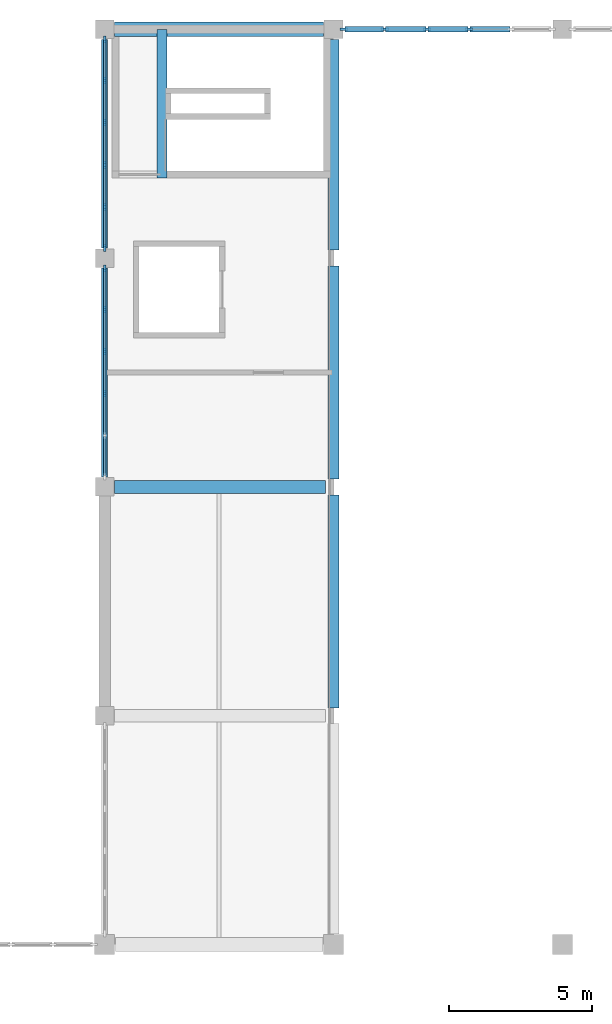
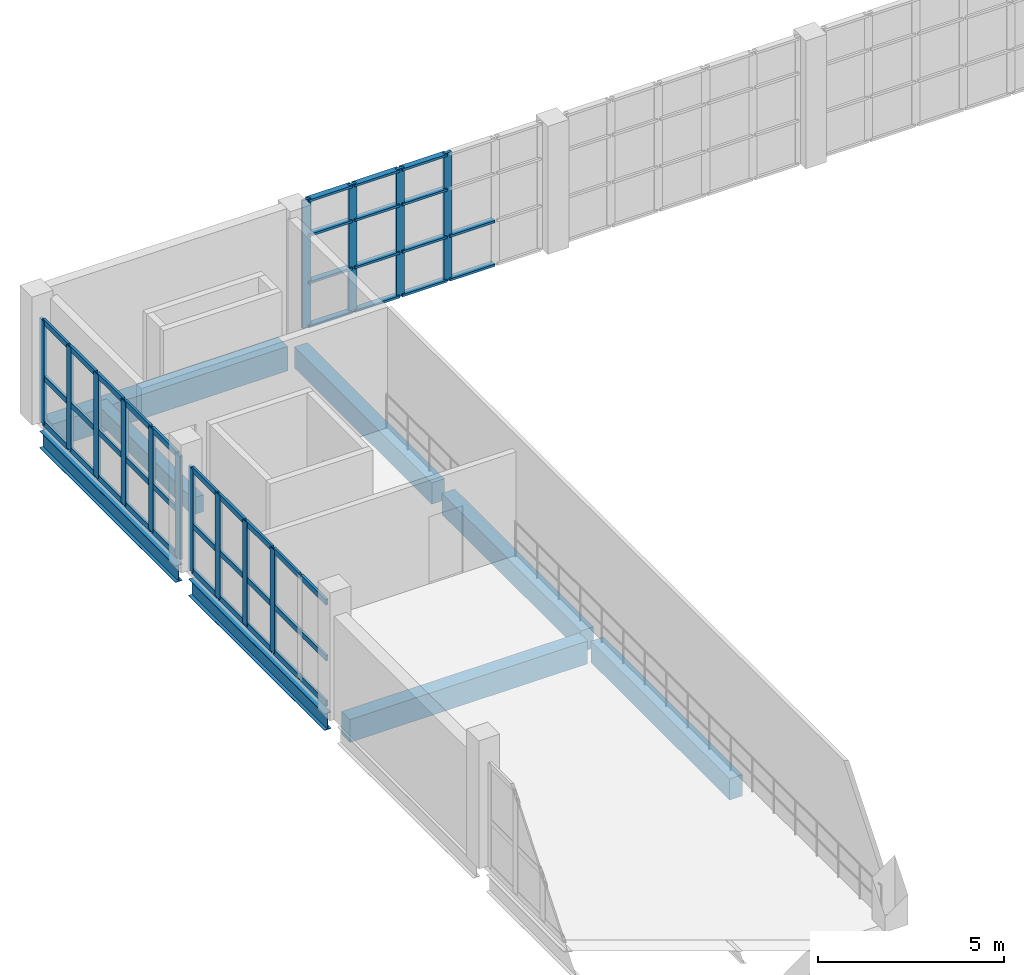
# One storey, part 17 of 66: 58 members, 8 beams, 3 elements without a shape of their own.
"""IFC4 building model written with IfcOpenShell, lengths in metres."""

from ifc_helpers import new_model, si_unit, direction, frame, origin, origin_2d, place, context, subcontext, project, spatial, rectangle, i_section, extrude, material, layer, layer_set, material_profile, profile_set, type_object, element, aggregate, save


model = new_model("IFC4")

# Units and contexts
model_context = context("Model", 3, precision=1e-05, world=origin(), true_north=direction((0.0, 1.0)))
body_context = subcontext(model_context, "Body", "Model", "MODEL_VIEW")
ifc_project = project(units=[si_unit("LENGTHUNIT", "METRE"), si_unit("AREAUNIT", "SQUARE_METRE"), si_unit("VOLUMEUNIT", "CUBIC_METRE"), si_unit("PLANEANGLEUNIT", "RADIAN"), si_unit("MASSUNIT", "GRAM", prefix="KILO")], contexts=[model_context])

# Site, building, storey
site_placement = place(None, origin())
site = spatial("IfcSite", under=ifc_project, at=site_placement, CompositionType="ELEMENT")
building_placement = place(site_placement, origin())
building = spatial("IfcBuilding", under=site, at=building_placement, Name="Drelvana Railside Aquatics Centre", CompositionType="ELEMENT")
storey_placement = place(building_placement, frame((0.0, 0.0, 10.199951171875)))
storey = spatial("IfcBuildingStorey", under=building, at=storey_placement, Name="L02", CompositionType="ELEMENT", Elevation=10.199951171875)

# Curtain wall, members
ifc_material_1 = material(Name="Bronze-anodised aluminium curtain wall", Category="aluminium")
ifc_layer = layer(ifc_material_1, 0.219970703125, Name="Bronze-anodised aluminium curtain wall")
ifc_layer_set = layer_set([ifc_layer], Name="Bronze-anodised aluminium curtain wall")
curtain_wall_type = type_object("IfcCurtainWallType", Name="CW-Z3-HIGH", PredefinedType="NOTDEFINED", material=ifc_layer_set)
curtain_wall_1_placement = place(storey_placement, origin())
curtain_wall_1 = element("IfcCurtainWall", 1, at=curtain_wall_1_placement, inside=storey, type_object=curtain_wall_type, Name="Curtain wall CW-03-030", PredefinedType="NOTDEFINED")
ifc_material_2 = material(Name="Bronze-anodised aluminium 6063-T6", Category="aluminium")
ifc_material_profile_1 = material_profile(ifc_material_2, rectangle(XDim=0.080078125, YDim=0.25, at=origin_2d()), Name="ALU-M 80x250")
ifc_profile_set_1 = profile_set([ifc_material_profile_1], Name="Bronze-anodised aluminium 6063-T6")
member_type_1 = type_object("IfcMemberType", Name="CW-Z3-HIGH-MUL", PredefinedType="MULLION", material=ifc_profile_set_1)
member_1_placement = place(storey_placement, frame((32.35888671875, 116.0, -0.005859375), z_axis=(0.0, 0.0, 1.0), x_axis=(0.0, 1.0, 0.0)))
member_1 = element("IfcMember", 2, at=member_1_placement, type_object=member_type_1, Name="CW-03 mullion 1", PredefinedType="MULLION", context=body_context, shape_type="SweptSolid", body=[
    extrude(rectangle(XDim=0.080078125, YDim=0.25, at=origin_2d()), origin(), (0.0, 0.0, 1.0), 4.19580078125),
])
member_2_placement = place(storey_placement, frame((33.79150390625, 116.0, -0.005859375), z_axis=(0.0, 0.0, 1.0), x_axis=(0.0, 1.0, 0.0)))
member_2 = element("IfcMember", 3, at=member_2_placement, type_object=member_type_1, Name="CW-03 mullion 2", PredefinedType="MULLION", context=body_context, shape_type="SweptSolid", body=[
    extrude(rectangle(XDim=0.080078125, YDim=0.25, at=origin_2d()), origin(), (0.0, 0.0, 1.0), 4.19580078125),
])
member_3_placement = place(storey_placement, frame((35.263916015625, 116.0, -0.005859375), z_axis=(0.0, 0.0, 1.0), x_axis=(0.0, 1.0, 0.0)))
member_3 = element("IfcMember", 4, at=member_3_placement, type_object=member_type_1, Name="CW-03 mullion 3", PredefinedType="MULLION", context=body_context, shape_type="SweptSolid", body=[
    extrude(rectangle(XDim=0.080078125, YDim=0.25, at=origin_2d()), origin(), (0.0, 0.0, 1.0), 4.19580078125),
])
member_4_placement = place(storey_placement, frame((36.736083984375, 116.0, -0.005859375), z_axis=(0.0, 0.0, 1.0), x_axis=(0.0, 1.0, 0.0)))
member_4 = element("IfcMember", 5, at=member_4_placement, type_object=member_type_1, Name="CW-03 mullion 4", PredefinedType="MULLION", context=body_context, shape_type="SweptSolid", body=[
    extrude(rectangle(XDim=0.080078125, YDim=0.25, at=origin_2d()), origin(), (0.0, 0.0, 1.0), 4.19580078125),
])

curtain_wall_2_placement = place(storey_placement, origin())
curtain_wall_2 = element("IfcCurtainWall", 6, at=curtain_wall_2_placement, inside=storey, type_object=curtain_wall_type, Name="Curtain wall CW-03-086", PredefinedType="NOTDEFINED")
member_5_placement = place(storey_placement, frame((24.0, 103.263916015625, -0.005859375), z_axis=(0.0, 0.0, 1.0), x_axis=(-1.0, 0.0, 0.0)))
member_5 = element("IfcMember", 7, at=member_5_placement, type_object=member_type_1, Name="CW-03 mullion 3", PredefinedType="MULLION", context=body_context, shape_type="SweptSolid", body=[
    extrude(rectangle(XDim=0.080078125, YDim=0.25, at=origin_2d()), origin(), (0.0, 0.0, 1.0), 3.39599609375),
])
member_6_placement = place(storey_placement, frame((24.0, 104.736083984375, -0.005859375), z_axis=(0.0, 0.0, 1.0), x_axis=(-1.0, 0.0, 0.0)))
member_6 = element("IfcMember", 8, at=member_6_placement, type_object=member_type_1, Name="CW-03 mullion 4", PredefinedType="MULLION", context=body_context, shape_type="SweptSolid", body=[
    extrude(rectangle(XDim=0.080078125, YDim=0.25, at=origin_2d()), origin(), (0.0, 0.0, 1.0), 3.39599609375),
])
member_7_placement = place(storey_placement, frame((24.0, 106.20849609375, -0.005859375), z_axis=(0.0, 0.0, 1.0), x_axis=(-1.0, 0.0, 0.0)))
member_7 = element("IfcMember", 9, at=member_7_placement, type_object=member_type_1, Name="CW-03 mullion 5", PredefinedType="MULLION", context=body_context, shape_type="SweptSolid", body=[
    extrude(rectangle(XDim=0.080078125, YDim=0.25, at=origin_2d()), origin(), (0.0, 0.0, 1.0), 3.39599609375),
])
member_8_placement = place(storey_placement, frame((24.0, 107.64111328125, -0.005859375), z_axis=(0.0, 0.0, 1.0), x_axis=(-1.0, 0.0, 0.0)))
member_8 = element("IfcMember", 10, at=member_8_placement, type_object=member_type_1, Name="CW-03 mullion 6", PredefinedType="MULLION", context=body_context, shape_type="SweptSolid", body=[
    extrude(rectangle(XDim=0.080078125, YDim=0.25, at=origin_2d()), origin(), (0.0, 0.0, 1.0), 3.39599609375),
])

curtain_wall_3_placement = place(storey_placement, origin())
curtain_wall_3 = element("IfcCurtainWall", 11, at=curtain_wall_3_placement, inside=storey, type_object=curtain_wall_type, Name="Curtain wall CW-03-089", PredefinedType="NOTDEFINED")
member_9_placement = place(storey_placement, frame((24.0, 108.35888671875, -0.005859375), z_axis=(0.0, 0.0, 1.0), x_axis=(-1.0, 0.0, 0.0)))
member_9 = element("IfcMember", 12, at=member_9_placement, type_object=member_type_1, Name="CW-03 mullion 1", PredefinedType="MULLION", context=body_context, shape_type="SweptSolid", body=[
    extrude(rectangle(XDim=0.080078125, YDim=0.25, at=origin_2d()), origin(), (0.0, 0.0, 1.0), 3.39599609375),
])
member_10_placement = place(storey_placement, frame((24.0, 109.79150390625, -0.005859375), z_axis=(0.0, 0.0, 1.0), x_axis=(-1.0, 0.0, 0.0)))
member_10 = element("IfcMember", 13, at=member_10_placement, type_object=member_type_1, Name="CW-03 mullion 2", PredefinedType="MULLION", context=body_context, shape_type="SweptSolid", body=[
    extrude(rectangle(XDim=0.080078125, YDim=0.25, at=origin_2d()), origin(), (0.0, 0.0, 1.0), 3.39599609375),
])
member_11_placement = place(storey_placement, frame((24.0, 111.263916015625, -0.005859375), z_axis=(0.0, 0.0, 1.0), x_axis=(-1.0, 0.0, 0.0)))
member_11 = element("IfcMember", 14, at=member_11_placement, type_object=member_type_1, Name="CW-03 mullion 3", PredefinedType="MULLION", context=body_context, shape_type="SweptSolid", body=[
    extrude(rectangle(XDim=0.080078125, YDim=0.25, at=origin_2d()), origin(), (0.0, 0.0, 1.0), 3.39599609375),
])
member_12_placement = place(storey_placement, frame((24.0, 112.736083984375, -0.005859375), z_axis=(0.0, 0.0, 1.0), x_axis=(-1.0, 0.0, 0.0)))
member_12 = element("IfcMember", 15, at=member_12_placement, type_object=member_type_1, Name="CW-03 mullion 4", PredefinedType="MULLION", context=body_context, shape_type="SweptSolid", body=[
    extrude(rectangle(XDim=0.080078125, YDim=0.25, at=origin_2d()), origin(), (0.0, 0.0, 1.0), 3.39599609375),
])
member_13_placement = place(storey_placement, frame((24.0, 114.20849609375, -0.005859375), z_axis=(0.0, 0.0, 1.0), x_axis=(-1.0, 0.0, 0.0)))
member_13 = element("IfcMember", 16, at=member_13_placement, type_object=member_type_1, Name="CW-03 mullion 5", PredefinedType="MULLION", context=body_context, shape_type="SweptSolid", body=[
    extrude(rectangle(XDim=0.080078125, YDim=0.25, at=origin_2d()), origin(), (0.0, 0.0, 1.0), 3.39599609375),
])
member_14_placement = place(storey_placement, frame((24.0, 115.64111328125, -0.005859375), z_axis=(0.0, 0.0, 1.0), x_axis=(-1.0, 0.0, 0.0)))
member_14 = element("IfcMember", 17, at=member_14_placement, type_object=member_type_1, Name="CW-03 mullion 6", PredefinedType="MULLION", context=body_context, shape_type="SweptSolid", body=[
    extrude(rectangle(XDim=0.080078125, YDim=0.25, at=origin_2d()), origin(), (0.0, 0.0, 1.0), 3.39599609375),
])

# Member
ifc_material_profile_2 = material_profile(ifc_material_2, rectangle(XDim=0.179931640625, YDim=0.074951171875, at=origin_2d()), Name="ALU-T 75x180")
ifc_profile_set_2 = profile_set([ifc_material_profile_2], Name="Bronze-anodised aluminium 6063-T6")
member_type_2 = type_object("IfcMemberType", Name="CW-Z3-HIGH-TRN", PredefinedType="USERDEFINED", material=ifc_profile_set_2)
member_15_placement = place(storey_placement, frame((32.39404296875, 116.0, 0.031494140625), z_axis=(1.0, 0.0, 0.0), x_axis=(0.0, 1.0, 0.0)))
member_15 = element("IfcMember", 18, at=member_15_placement, type_object=member_type_2, Name="CW-03 transom 1.1", ObjectType="TRANSOM", PredefinedType="USERDEFINED", context=body_context, shape_type="SweptSolid", body=[
    extrude(rectangle(XDim=0.179931640625, YDim=0.074951171875, at=origin_2d()), origin(), (0.0, 0.0, 1.0), 1.3623046875),
])

member_16_placement = place(storey_placement, frame((32.39404296875, 116.0, 1.463134765625), z_axis=(1.0, 0.0, 0.0), x_axis=(0.0, 1.0, 0.0)))
member_16 = element("IfcMember", 19, at=member_16_placement, type_object=member_type_2, Name="CW-03 transom 1.2", ObjectType="TRANSOM", PredefinedType="USERDEFINED", context=body_context, shape_type="SweptSolid", body=[
    extrude(rectangle(XDim=0.179931640625, YDim=0.074951171875, at=origin_2d()), origin(), (0.0, 0.0, 1.0), 1.3623046875),
])

member_17_placement = place(storey_placement, frame((32.39404296875, 116.0, 3.01513671875), z_axis=(1.0, 0.0, 0.0), x_axis=(0.0, 1.0, 0.0)))
member_17 = element("IfcMember", 20, at=member_17_placement, type_object=member_type_2, Name="CW-03 transom 1.3", ObjectType="TRANSOM", PredefinedType="USERDEFINED", context=body_context, shape_type="SweptSolid", body=[
    extrude(rectangle(XDim=0.179931640625, YDim=0.074951171875, at=origin_2d()), origin(), (0.0, 0.0, 1.0), 1.3623046875),
])

member_18_placement = place(storey_placement, frame((32.39404296875, 116.0, 4.152587890625), z_axis=(1.0, 0.0, 0.0), x_axis=(0.0, 1.0, 0.0)))
member_18 = element("IfcMember", 21, at=member_18_placement, type_object=member_type_2, Name="CW-03 transom 1.4", ObjectType="TRANSOM", PredefinedType="USERDEFINED", context=body_context, shape_type="SweptSolid", body=[
    extrude(rectangle(XDim=0.179931640625, YDim=0.074951171875, at=origin_2d()), origin(), (0.0, 0.0, 1.0), 1.3623046875),
])

member_19_placement = place(storey_placement, frame((33.826416015625, 116.0, 0.031494140625), z_axis=(1.0, 0.0, 0.0), x_axis=(0.0, 1.0, 0.0)))
member_19 = element("IfcMember", 22, at=member_19_placement, type_object=member_type_2, Name="CW-03 transom 2.1", ObjectType="TRANSOM", PredefinedType="USERDEFINED", context=body_context, shape_type="SweptSolid", body=[
    extrude(rectangle(XDim=0.179931640625, YDim=0.074951171875, at=origin_2d()), origin(), (0.0, 0.0, 1.0), 1.40234375),
])

member_20_placement = place(storey_placement, frame((33.826416015625, 116.0, 1.463134765625), z_axis=(1.0, 0.0, 0.0), x_axis=(0.0, 1.0, 0.0)))
member_20 = element("IfcMember", 23, at=member_20_placement, type_object=member_type_2, Name="CW-03 transom 2.2", ObjectType="TRANSOM", PredefinedType="USERDEFINED", context=body_context, shape_type="SweptSolid", body=[
    extrude(rectangle(XDim=0.179931640625, YDim=0.074951171875, at=origin_2d()), origin(), (0.0, 0.0, 1.0), 1.40234375),
])

member_21_placement = place(storey_placement, frame((33.826416015625, 116.0, 3.01513671875), z_axis=(1.0, 0.0, 0.0), x_axis=(0.0, 1.0, 0.0)))
member_21 = element("IfcMember", 24, at=member_21_placement, type_object=member_type_2, Name="CW-03 transom 2.3", ObjectType="TRANSOM", PredefinedType="USERDEFINED", context=body_context, shape_type="SweptSolid", body=[
    extrude(rectangle(XDim=0.179931640625, YDim=0.074951171875, at=origin_2d()), origin(), (0.0, 0.0, 1.0), 1.40234375),
])

member_22_placement = place(storey_placement, frame((33.826416015625, 116.0, 4.152587890625), z_axis=(1.0, 0.0, 0.0), x_axis=(0.0, 1.0, 0.0)))
member_22 = element("IfcMember", 25, at=member_22_placement, type_object=member_type_2, Name="CW-03 transom 2.4", ObjectType="TRANSOM", PredefinedType="USERDEFINED", context=body_context, shape_type="SweptSolid", body=[
    extrude(rectangle(XDim=0.179931640625, YDim=0.074951171875, at=origin_2d()), origin(), (0.0, 0.0, 1.0), 1.40234375),
])

member_23_placement = place(storey_placement, frame((35.298828125, 116.0, 0.031494140625), z_axis=(1.0, 0.0, 0.0), x_axis=(0.0, 1.0, 0.0)))
member_23 = element("IfcMember", 26, at=member_23_placement, type_object=member_type_2, Name="CW-03 transom 3.1", ObjectType="TRANSOM", PredefinedType="USERDEFINED", context=body_context, shape_type="SweptSolid", body=[
    extrude(rectangle(XDim=0.179931640625, YDim=0.074951171875, at=origin_2d()), origin(), (0.0, 0.0, 1.0), 1.40234375),
])

member_24_placement = place(storey_placement, frame((35.298828125, 116.0, 1.463134765625), z_axis=(1.0, 0.0, 0.0), x_axis=(0.0, 1.0, 0.0)))
member_24 = element("IfcMember", 27, at=member_24_placement, type_object=member_type_2, Name="CW-03 transom 3.2", ObjectType="TRANSOM", PredefinedType="USERDEFINED", context=body_context, shape_type="SweptSolid", body=[
    extrude(rectangle(XDim=0.179931640625, YDim=0.074951171875, at=origin_2d()), origin(), (0.0, 0.0, 1.0), 1.40234375),
])

member_25_placement = place(storey_placement, frame((35.298828125, 116.0, 3.01513671875), z_axis=(1.0, 0.0, 0.0), x_axis=(0.0, 1.0, 0.0)))
member_25 = element("IfcMember", 28, at=member_25_placement, type_object=member_type_2, Name="CW-03 transom 3.3", ObjectType="TRANSOM", PredefinedType="USERDEFINED", context=body_context, shape_type="SweptSolid", body=[
    extrude(rectangle(XDim=0.179931640625, YDim=0.074951171875, at=origin_2d()), origin(), (0.0, 0.0, 1.0), 1.40234375),
])

member_26_placement = place(storey_placement, frame((35.298828125, 116.0, 4.152587890625), z_axis=(1.0, 0.0, 0.0), x_axis=(0.0, 1.0, 0.0)))
member_26 = element("IfcMember", 29, at=member_26_placement, type_object=member_type_2, Name="CW-03 transom 3.4", ObjectType="TRANSOM", PredefinedType="USERDEFINED", context=body_context, shape_type="SweptSolid", body=[
    extrude(rectangle(XDim=0.179931640625, YDim=0.074951171875, at=origin_2d()), origin(), (0.0, 0.0, 1.0), 1.40234375),
])

member_27_placement = place(storey_placement, frame((36.771240234375, 116.0, 0.031494140625), z_axis=(1.0, 0.0, 0.0), x_axis=(0.0, 1.0, 0.0)))
member_27 = element("IfcMember", 30, at=member_27_placement, type_object=member_type_2, Name="CW-03 transom 4.1", ObjectType="TRANSOM", PredefinedType="USERDEFINED", context=body_context, shape_type="SweptSolid", body=[
    extrude(rectangle(XDim=0.179931640625, YDim=0.074951171875, at=origin_2d()), origin(), (0.0, 0.0, 1.0), 1.40234375),
])

member_28_placement = place(storey_placement, frame((36.771240234375, 116.0, 1.463134765625), z_axis=(1.0, 0.0, 0.0), x_axis=(0.0, 1.0, 0.0)))
member_28 = element("IfcMember", 31, at=member_28_placement, type_object=member_type_2, Name="CW-03 transom 4.2", ObjectType="TRANSOM", PredefinedType="USERDEFINED", context=body_context, shape_type="SweptSolid", body=[
    extrude(rectangle(XDim=0.179931640625, YDim=0.074951171875, at=origin_2d()), origin(), (0.0, 0.0, 1.0), 1.40234375),
])

aggregate(curtain_wall_1, [member_1, member_2, member_3, member_4, member_15, member_16, member_17, member_18, member_19, member_20, member_21, member_22, member_23, member_24, member_25, member_26, member_27, member_28])

member_29_placement = place(storey_placement, frame((24.0, 100.39404296875, 0.031494140625), z_axis=(0.0, 1.0, 0.0), x_axis=(0.0, 0.0, 1.0)))
member_29 = element("IfcMember", 32, at=member_29_placement, type_object=member_type_2, Name="CW-03 transom 1.1", ObjectType="TRANSOM", PredefinedType="USERDEFINED", context=body_context, shape_type="SweptSolid", body=[
    extrude(rectangle(XDim=0.179931640625, YDim=0.074951171875, at=origin_2d()), origin(), (0.0, 0.0, 1.0), 1.3623046875),
])

member_30_placement = place(storey_placement, frame((24.0, 100.39404296875, 1.52197265625), z_axis=(0.0, 1.0, 0.0), x_axis=(0.0, 0.0, 1.0)))
member_30 = element("IfcMember", 33, at=member_30_placement, type_object=member_type_2, Name="CW-03 transom 1.2", ObjectType="TRANSOM", PredefinedType="USERDEFINED", context=body_context, shape_type="SweptSolid", body=[
    extrude(rectangle(XDim=0.179931640625, YDim=0.074951171875, at=origin_2d()), origin(), (0.0, 0.0, 1.0), 1.3623046875),
])

member_31_placement = place(storey_placement, frame((24.0, 100.39404296875, 3.3525390625), z_axis=(0.0, 1.0, 0.0), x_axis=(0.0, 0.0, 1.0)))
member_31 = element("IfcMember", 34, at=member_31_placement, type_object=member_type_2, Name="CW-03 transom 1.3", ObjectType="TRANSOM", PredefinedType="USERDEFINED", context=body_context, shape_type="SweptSolid", body=[
    extrude(rectangle(XDim=0.179931640625, YDim=0.074951171875, at=origin_2d()), origin(), (0.0, 0.0, 1.0), 1.3623046875),
])

member_32_placement = place(storey_placement, frame((24.0, 101.826416015625, 0.031494140625), z_axis=(0.0, 1.0, 0.0), x_axis=(0.0, 0.0, 1.0)))
member_32 = element("IfcMember", 35, at=member_32_placement, type_object=member_type_2, Name="CW-03 transom 2.1", ObjectType="TRANSOM", PredefinedType="USERDEFINED", context=body_context, shape_type="SweptSolid", body=[
    extrude(rectangle(XDim=0.179931640625, YDim=0.074951171875, at=origin_2d()), origin(), (0.0, 0.0, 1.0), 1.40234375),
])

member_33_placement = place(storey_placement, frame((24.0, 101.826416015625, 1.52197265625), z_axis=(0.0, 1.0, 0.0), x_axis=(0.0, 0.0, 1.0)))
member_33 = element("IfcMember", 36, at=member_33_placement, type_object=member_type_2, Name="CW-03 transom 2.2", ObjectType="TRANSOM", PredefinedType="USERDEFINED", context=body_context, shape_type="SweptSolid", body=[
    extrude(rectangle(XDim=0.179931640625, YDim=0.074951171875, at=origin_2d()), origin(), (0.0, 0.0, 1.0), 1.40234375),
])

member_34_placement = place(storey_placement, frame((24.0, 101.826416015625, 3.3525390625), z_axis=(0.0, 1.0, 0.0), x_axis=(0.0, 0.0, 1.0)))
member_34 = element("IfcMember", 37, at=member_34_placement, type_object=member_type_2, Name="CW-03 transom 2.3", ObjectType="TRANSOM", PredefinedType="USERDEFINED", context=body_context, shape_type="SweptSolid", body=[
    extrude(rectangle(XDim=0.179931640625, YDim=0.074951171875, at=origin_2d()), origin(), (0.0, 0.0, 1.0), 1.40234375),
])

member_35_placement = place(storey_placement, frame((24.0, 103.298828125, 0.031494140625), z_axis=(0.0, 1.0, 0.0), x_axis=(0.0, 0.0, 1.0)))
member_35 = element("IfcMember", 38, at=member_35_placement, type_object=member_type_2, Name="CW-03 transom 3.1", ObjectType="TRANSOM", PredefinedType="USERDEFINED", context=body_context, shape_type="SweptSolid", body=[
    extrude(rectangle(XDim=0.179931640625, YDim=0.074951171875, at=origin_2d()), origin(), (0.0, 0.0, 1.0), 1.40234375),
])

member_36_placement = place(storey_placement, frame((24.0, 103.298828125, 1.52197265625), z_axis=(0.0, 1.0, 0.0), x_axis=(0.0, 0.0, 1.0)))
member_36 = element("IfcMember", 39, at=member_36_placement, type_object=member_type_2, Name="CW-03 transom 3.2", ObjectType="TRANSOM", PredefinedType="USERDEFINED", context=body_context, shape_type="SweptSolid", body=[
    extrude(rectangle(XDim=0.179931640625, YDim=0.074951171875, at=origin_2d()), origin(), (0.0, 0.0, 1.0), 1.40234375),
])

member_37_placement = place(storey_placement, frame((24.0, 103.298828125, 3.3525390625), z_axis=(0.0, 1.0, 0.0), x_axis=(0.0, 0.0, 1.0)))
member_37 = element("IfcMember", 40, at=member_37_placement, type_object=member_type_2, Name="CW-03 transom 3.3", ObjectType="TRANSOM", PredefinedType="USERDEFINED", context=body_context, shape_type="SweptSolid", body=[
    extrude(rectangle(XDim=0.179931640625, YDim=0.074951171875, at=origin_2d()), origin(), (0.0, 0.0, 1.0), 1.40234375),
])

member_38_placement = place(storey_placement, frame((24.0, 104.771240234375, 0.031494140625), z_axis=(0.0, 1.0, 0.0), x_axis=(0.0, 0.0, 1.0)))
member_38 = element("IfcMember", 41, at=member_38_placement, type_object=member_type_2, Name="CW-03 transom 4.1", ObjectType="TRANSOM", PredefinedType="USERDEFINED", context=body_context, shape_type="SweptSolid", body=[
    extrude(rectangle(XDim=0.179931640625, YDim=0.074951171875, at=origin_2d()), origin(), (0.0, 0.0, 1.0), 1.40234375),
])

member_39_placement = place(storey_placement, frame((24.0, 104.771240234375, 1.52197265625), z_axis=(0.0, 1.0, 0.0), x_axis=(0.0, 0.0, 1.0)))
member_39 = element("IfcMember", 42, at=member_39_placement, type_object=member_type_2, Name="CW-03 transom 4.2", ObjectType="TRANSOM", PredefinedType="USERDEFINED", context=body_context, shape_type="SweptSolid", body=[
    extrude(rectangle(XDim=0.179931640625, YDim=0.074951171875, at=origin_2d()), origin(), (0.0, 0.0, 1.0), 1.40234375),
])

member_40_placement = place(storey_placement, frame((24.0, 104.771240234375, 3.3525390625), z_axis=(0.0, 1.0, 0.0), x_axis=(0.0, 0.0, 1.0)))
member_40 = element("IfcMember", 43, at=member_40_placement, type_object=member_type_2, Name="CW-03 transom 4.3", ObjectType="TRANSOM", PredefinedType="USERDEFINED", context=body_context, shape_type="SweptSolid", body=[
    extrude(rectangle(XDim=0.179931640625, YDim=0.074951171875, at=origin_2d()), origin(), (0.0, 0.0, 1.0), 1.40234375),
])

member_41_placement = place(storey_placement, frame((24.0, 106.24365234375, 0.031494140625), z_axis=(0.0, 1.0, 0.0), x_axis=(0.0, 0.0, 1.0)))
member_41 = element("IfcMember", 44, at=member_41_placement, type_object=member_type_2, Name="CW-03 transom 5.1", ObjectType="TRANSOM", PredefinedType="USERDEFINED", context=body_context, shape_type="SweptSolid", body=[
    extrude(rectangle(XDim=0.179931640625, YDim=0.074951171875, at=origin_2d()), origin(), (0.0, 0.0, 1.0), 1.3623046875),
])

member_42_placement = place(storey_placement, frame((24.0, 106.24365234375, 1.52197265625), z_axis=(0.0, 1.0, 0.0), x_axis=(0.0, 0.0, 1.0)))
member_42 = element("IfcMember", 45, at=member_42_placement, type_object=member_type_2, Name="CW-03 transom 5.2", ObjectType="TRANSOM", PredefinedType="USERDEFINED", context=body_context, shape_type="SweptSolid", body=[
    extrude(rectangle(XDim=0.179931640625, YDim=0.074951171875, at=origin_2d()), origin(), (0.0, 0.0, 1.0), 1.3623046875),
])

member_43_placement = place(storey_placement, frame((24.0, 106.24365234375, 3.3525390625), z_axis=(0.0, 1.0, 0.0), x_axis=(0.0, 0.0, 1.0)))
member_43 = element("IfcMember", 46, at=member_43_placement, type_object=member_type_2, Name="CW-03 transom 5.3", ObjectType="TRANSOM", PredefinedType="USERDEFINED", context=body_context, shape_type="SweptSolid", body=[
    extrude(rectangle(XDim=0.179931640625, YDim=0.074951171875, at=origin_2d()), origin(), (0.0, 0.0, 1.0), 1.3623046875),
])

aggregate(curtain_wall_2, [member_5, member_6, member_7, member_8, member_29, member_30, member_31, member_32, member_33, member_34, member_35, member_36, member_37, member_38, member_39, member_40, member_41, member_42, member_43])

member_44_placement = place(storey_placement, frame((24.0, 108.39404296875, 0.031494140625), z_axis=(0.0, 1.0, 0.0), x_axis=(0.0, 0.0, 1.0)))
member_44 = element("IfcMember", 47, at=member_44_placement, type_object=member_type_2, Name="CW-03 transom 1.1", ObjectType="TRANSOM", PredefinedType="USERDEFINED", context=body_context, shape_type="SweptSolid", body=[
    extrude(rectangle(XDim=0.179931640625, YDim=0.074951171875, at=origin_2d()), origin(), (0.0, 0.0, 1.0), 1.3623046875),
])

member_45_placement = place(storey_placement, frame((24.0, 108.39404296875, 1.52197265625), z_axis=(0.0, 1.0, 0.0), x_axis=(0.0, 0.0, 1.0)))
member_45 = element("IfcMember", 48, at=member_45_placement, type_object=member_type_2, Name="CW-03 transom 1.2", ObjectType="TRANSOM", PredefinedType="USERDEFINED", context=body_context, shape_type="SweptSolid", body=[
    extrude(rectangle(XDim=0.179931640625, YDim=0.074951171875, at=origin_2d()), origin(), (0.0, 0.0, 1.0), 1.3623046875),
])

member_46_placement = place(storey_placement, frame((24.0, 108.39404296875, 3.3525390625), z_axis=(0.0, 1.0, 0.0), x_axis=(0.0, 0.0, 1.0)))
member_46 = element("IfcMember", 49, at=member_46_placement, type_object=member_type_2, Name="CW-03 transom 1.3", ObjectType="TRANSOM", PredefinedType="USERDEFINED", context=body_context, shape_type="SweptSolid", body=[
    extrude(rectangle(XDim=0.179931640625, YDim=0.074951171875, at=origin_2d()), origin(), (0.0, 0.0, 1.0), 1.3623046875),
])

member_47_placement = place(storey_placement, frame((24.0, 109.826416015625, 0.031494140625), z_axis=(0.0, 1.0, 0.0), x_axis=(0.0, 0.0, 1.0)))
member_47 = element("IfcMember", 50, at=member_47_placement, type_object=member_type_2, Name="CW-03 transom 2.1", ObjectType="TRANSOM", PredefinedType="USERDEFINED", context=body_context, shape_type="SweptSolid", body=[
    extrude(rectangle(XDim=0.179931640625, YDim=0.074951171875, at=origin_2d()), origin(), (0.0, 0.0, 1.0), 1.40234375),
])

member_48_placement = place(storey_placement, frame((24.0, 109.826416015625, 1.52197265625), z_axis=(0.0, 1.0, 0.0), x_axis=(0.0, 0.0, 1.0)))
member_48 = element("IfcMember", 51, at=member_48_placement, type_object=member_type_2, Name="CW-03 transom 2.2", ObjectType="TRANSOM", PredefinedType="USERDEFINED", context=body_context, shape_type="SweptSolid", body=[
    extrude(rectangle(XDim=0.179931640625, YDim=0.074951171875, at=origin_2d()), origin(), (0.0, 0.0, 1.0), 1.40234375),
])

member_49_placement = place(storey_placement, frame((24.0, 109.826416015625, 3.3525390625), z_axis=(0.0, 1.0, 0.0), x_axis=(0.0, 0.0, 1.0)))
member_49 = element("IfcMember", 52, at=member_49_placement, type_object=member_type_2, Name="CW-03 transom 2.3", ObjectType="TRANSOM", PredefinedType="USERDEFINED", context=body_context, shape_type="SweptSolid", body=[
    extrude(rectangle(XDim=0.179931640625, YDim=0.074951171875, at=origin_2d()), origin(), (0.0, 0.0, 1.0), 1.40234375),
])

member_50_placement = place(storey_placement, frame((24.0, 111.298828125, 0.031494140625), z_axis=(0.0, 1.0, 0.0), x_axis=(0.0, 0.0, 1.0)))
member_50 = element("IfcMember", 53, at=member_50_placement, type_object=member_type_2, Name="CW-03 transom 3.1", ObjectType="TRANSOM", PredefinedType="USERDEFINED", context=body_context, shape_type="SweptSolid", body=[
    extrude(rectangle(XDim=0.179931640625, YDim=0.074951171875, at=origin_2d()), origin(), (0.0, 0.0, 1.0), 1.40234375),
])

member_51_placement = place(storey_placement, frame((24.0, 111.298828125, 1.52197265625), z_axis=(0.0, 1.0, 0.0), x_axis=(0.0, 0.0, 1.0)))
member_51 = element("IfcMember", 54, at=member_51_placement, type_object=member_type_2, Name="CW-03 transom 3.2", ObjectType="TRANSOM", PredefinedType="USERDEFINED", context=body_context, shape_type="SweptSolid", body=[
    extrude(rectangle(XDim=0.179931640625, YDim=0.074951171875, at=origin_2d()), origin(), (0.0, 0.0, 1.0), 1.40234375),
])

member_52_placement = place(storey_placement, frame((24.0, 111.298828125, 3.3525390625), z_axis=(0.0, 1.0, 0.0), x_axis=(0.0, 0.0, 1.0)))
member_52 = element("IfcMember", 55, at=member_52_placement, type_object=member_type_2, Name="CW-03 transom 3.3", ObjectType="TRANSOM", PredefinedType="USERDEFINED", context=body_context, shape_type="SweptSolid", body=[
    extrude(rectangle(XDim=0.179931640625, YDim=0.074951171875, at=origin_2d()), origin(), (0.0, 0.0, 1.0), 1.40234375),
])

member_53_placement = place(storey_placement, frame((24.0, 112.771240234375, 0.031494140625), z_axis=(0.0, 1.0, 0.0), x_axis=(0.0, 0.0, 1.0)))
member_53 = element("IfcMember", 56, at=member_53_placement, type_object=member_type_2, Name="CW-03 transom 4.1", ObjectType="TRANSOM", PredefinedType="USERDEFINED", context=body_context, shape_type="SweptSolid", body=[
    extrude(rectangle(XDim=0.179931640625, YDim=0.074951171875, at=origin_2d()), origin(), (0.0, 0.0, 1.0), 1.40234375),
])

member_54_placement = place(storey_placement, frame((24.0, 112.771240234375, 1.52197265625), z_axis=(0.0, 1.0, 0.0), x_axis=(0.0, 0.0, 1.0)))
member_54 = element("IfcMember", 57, at=member_54_placement, type_object=member_type_2, Name="CW-03 transom 4.2", ObjectType="TRANSOM", PredefinedType="USERDEFINED", context=body_context, shape_type="SweptSolid", body=[
    extrude(rectangle(XDim=0.179931640625, YDim=0.074951171875, at=origin_2d()), origin(), (0.0, 0.0, 1.0), 1.40234375),
])

member_55_placement = place(storey_placement, frame((24.0, 112.771240234375, 3.3525390625), z_axis=(0.0, 1.0, 0.0), x_axis=(0.0, 0.0, 1.0)))
member_55 = element("IfcMember", 58, at=member_55_placement, type_object=member_type_2, Name="CW-03 transom 4.3", ObjectType="TRANSOM", PredefinedType="USERDEFINED", context=body_context, shape_type="SweptSolid", body=[
    extrude(rectangle(XDim=0.179931640625, YDim=0.074951171875, at=origin_2d()), origin(), (0.0, 0.0, 1.0), 1.40234375),
])

member_56_placement = place(storey_placement, frame((24.0, 114.24365234375, 0.031494140625), z_axis=(0.0, 1.0, 0.0), x_axis=(0.0, 0.0, 1.0)))
member_56 = element("IfcMember", 59, at=member_56_placement, type_object=member_type_2, Name="CW-03 transom 5.1", ObjectType="TRANSOM", PredefinedType="USERDEFINED", context=body_context, shape_type="SweptSolid", body=[
    extrude(rectangle(XDim=0.179931640625, YDim=0.074951171875, at=origin_2d()), origin(), (0.0, 0.0, 1.0), 1.3623046875),
])

member_57_placement = place(storey_placement, frame((24.0, 114.24365234375, 1.52197265625), z_axis=(0.0, 1.0, 0.0), x_axis=(0.0, 0.0, 1.0)))
member_57 = element("IfcMember", 60, at=member_57_placement, type_object=member_type_2, Name="CW-03 transom 5.2", ObjectType="TRANSOM", PredefinedType="USERDEFINED", context=body_context, shape_type="SweptSolid", body=[
    extrude(rectangle(XDim=0.179931640625, YDim=0.074951171875, at=origin_2d()), origin(), (0.0, 0.0, 1.0), 1.3623046875),
])

member_58_placement = place(storey_placement, frame((24.0, 114.24365234375, 3.3525390625), z_axis=(0.0, 1.0, 0.0), x_axis=(0.0, 0.0, 1.0)))
member_58 = element("IfcMember", 61, at=member_58_placement, type_object=member_type_2, Name="CW-03 transom 5.3", ObjectType="TRANSOM", PredefinedType="USERDEFINED", context=body_context, shape_type="SweptSolid", body=[
    extrude(rectangle(XDim=0.179931640625, YDim=0.074951171875, at=origin_2d()), origin(), (0.0, 0.0, 1.0), 1.3623046875),
])

aggregate(curtain_wall_3, [member_9, member_10, member_11, member_12, member_13, member_14, member_44, member_45, member_46, member_47, member_48, member_49, member_50, member_51, member_52, member_53, member_54, member_55, member_56, member_57, member_58])

# Beams
ifc_material_3 = material(Name="Concrete C40/50", Category="concrete")
ifc_material_profile_3 = material_profile(ifc_material_3, rectangle(XDim=0.35009765625, YDim=0.550048828125, at=origin_2d()), Name="RC 350x550")
ifc_profile_set_3 = profile_set([ifc_material_profile_3], Name="Concrete C40/50")
beam_type_1 = type_object("IfcBeamType", Name="STR-BM-BM-01-RC-350x550", PredefinedType="BEAM", material=ifc_profile_set_3)
beam_1_placement = place(storey_placement, frame((26.0, 110.800048828125, -0.474853515625), z_axis=(0.0, 1.0, 0.0), x_axis=(-1.0, 0.0, 0.0)))
element("IfcBeam", 62, at=beam_1_placement, inside=storey, type_object=beam_type_1, Name="Stair ST-03 L02 landing beam", PredefinedType="BEAM", context=body_context, shape_type="SweptSolid", body=[
    extrude(rectangle(XDim=0.35009765625, YDim=0.550048828125, at=origin_2d()), origin(), (0.0, 0.0, 1.0), 5.199951171875),
])
ifc_material_profile_4 = material_profile(ifc_material_3, rectangle(XDim=0.39990234375, YDim=0.699951171875, at=origin_2d()), Name="RC 400x700")
ifc_profile_set_4 = profile_set([ifc_material_profile_4], Name="Concrete C40/50")
beam_type_2 = type_object("IfcBeamType", Name="STR-BM-BM-03-RC-400x700", PredefinedType="BEAM", material=ifc_profile_set_4)
for number, where, z_axis, x_axis, name in (
    (63, (32.0, 92.27490234375, -0.599853515625), (0.0, 1.0, 0.0), (-1.0, 0.0, 0.0), "Girder BM-03 (L02)"),
    (64, (32.0, 100.27490234375, -0.599853515625), (0.0, 1.0, 0.0), (-1.0, 0.0, 0.0), "Girder BM-03 (L02)"),
):
    element("IfcBeam", number, at=place(storey_placement, frame(where, z_axis=z_axis, x_axis=x_axis)), inside=storey, type_object=beam_type_2, Name=name, PredefinedType="BEAM", context=body_context, shape_type="SweptSolid", body=[
        extrude(rectangle(XDim=0.39990234375, YDim=0.699951171875, at=origin_2d()), origin(), (0.0, 0.0, 1.0), 7.4501953125),
    ])
beam_2_placement = place(storey_placement, frame((32.0, 108.27490234375, -0.599853515625), z_axis=(0.0, 1.0, 0.0), x_axis=(-1.0, 0.0, 0.0)))
element("IfcBeam", 65, at=beam_2_placement, inside=storey, type_object=beam_type_2, Name="Girder BM-03 (L02)", PredefinedType="BEAM", context=body_context, shape_type="SweptSolid", body=[
    extrude(rectangle(XDim=0.39990234375, YDim=0.699951171875, at=origin_2d()), origin(), (0.0, 0.0, 1.0), 7.375),
])
ifc_material_profile_5 = material_profile(ifc_material_3, rectangle(XDim=0.449951171875, YDim=0.75, at=origin_2d()), Name="RC 450x750")
ifc_profile_set_5 = profile_set([ifc_material_profile_5], Name="Concrete C40/50")
beam_type_3 = type_object("IfcBeamType", Name="STR-BM-BM-04-RC-450x750", PredefinedType="BEAM", material=ifc_profile_set_5)
beam_3_placement = place(storey_placement, frame((24.35009765625, 100.0, -0.625), z_axis=(1.0, 0.0, 0.0), x_axis=(0.0, 1.0, 0.0)))
element("IfcBeam", 66, at=beam_3_placement, inside=storey, type_object=beam_type_3, Name="Girder BM-04 (L02)", PredefinedType="BEAM", context=body_context, shape_type="SweptSolid", body=[
    extrude(rectangle(XDim=0.449951171875, YDim=0.75, at=origin_2d()), origin(), (0.0, 0.0, 1.0), 7.375),
])
ifc_material_profile_6 = material_profile(ifc_material_3, rectangle(XDim=0.5, YDim=0.800048828125, at=origin_2d()), Name="RC 500x800")
ifc_profile_set_6 = profile_set([ifc_material_profile_6], Name="Concrete C40/50")
beam_type_4 = type_object("IfcBeamType", Name="STR-BM-BM-06-RC-500x800", PredefinedType="SPANDREL", material=ifc_profile_set_6)
beam_4_placement = place(storey_placement, frame((24.35009765625, 116.0, -0.64990234375), z_axis=(1.0, 0.0, 0.0), x_axis=(0.0, 1.0, 0.0)))
element("IfcBeam", 67, at=beam_4_placement, inside=storey, type_object=beam_type_4, Name="Girder BM-06 (L02)", PredefinedType="SPANDREL", context=body_context, shape_type="SweptSolid", body=[
    extrude(rectangle(XDim=0.5, YDim=0.800048828125, at=origin_2d()), origin(), (0.0, 0.0, 1.0), 7.2998046875),
])
ifc_material_4 = material(Name="Structural steel S355", Category="steel")
ifc_material_profile_7 = material_profile(ifc_material_4, i_section(OverallWidth=0.2099609375, OverallDepth=0.550048828125, WebThickness=0.010986328125, FlangeThickness=0.01708984375, at=origin_2d()), Name="IPE 550")
ifc_profile_set_7 = profile_set([ifc_material_profile_7], Name="Structural steel S355")
beam_type_5 = type_object("IfcBeamType", Name="STR-SBM-SB-04-IPE-550", PredefinedType="SPANDREL", material=ifc_profile_set_7)
for number, where, z_axis, x_axis, name in (
    (68, (24.0, 100.35009765625, -0.52490234375), (0.0, 1.0, 0.0), (-1.0, 0.0, 0.0), "Girder SB-04 (L02)"),
    (69, (24.0, 108.35009765625, -0.52490234375), (0.0, 1.0, 0.0), (-1.0, 0.0, 0.0), "Girder SB-04 (L02)"),
):
    element("IfcBeam", number, at=place(storey_placement, frame(where, z_axis=z_axis, x_axis=x_axis)), inside=storey, type_object=beam_type_5, Name=name, PredefinedType="SPANDREL", context=body_context, shape_type="SweptSolid", body=[
        extrude(i_section(OverallWidth=0.2099609375, OverallDepth=0.550048828125, WebThickness=0.010986328125, FlangeThickness=0.01708984375, at=origin_2d()), origin(), (0.0, 0.0, 1.0), 7.2998046875),
    ])

save(model, "model.ifc")
